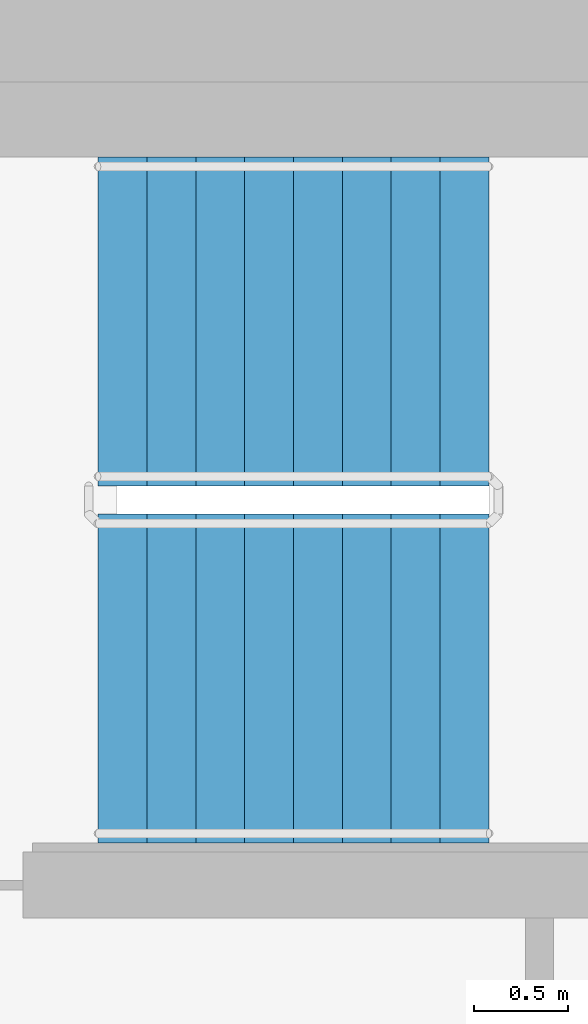
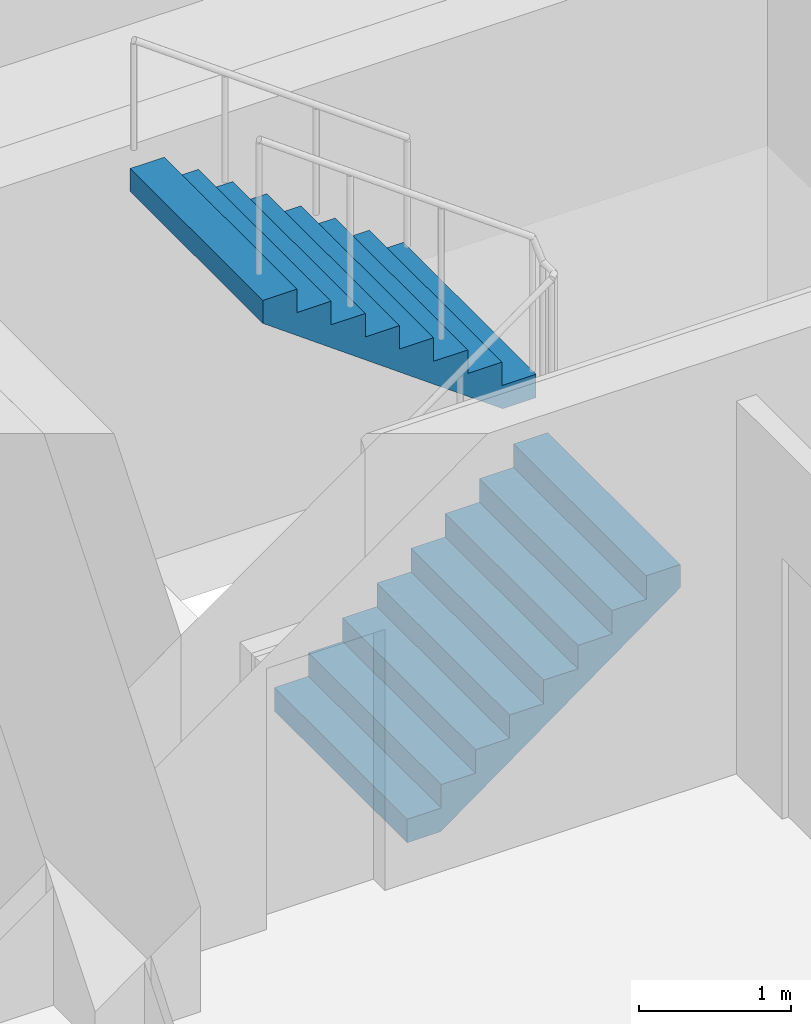
# One storey, part 13 of 18: 2 stair flights, 1 element without a shape of its own.
"""IFC4 building model written with IfcOpenShell, lengths in metres."""

from ifc_helpers import new_model, si_unit, direction, frame, origin, place, context, subcontext, project, spatial, faceted_brep, material, type_object, element, aggregate, save


model = new_model("IFC4")

# Units and contexts
model_context = context("Model", 3, precision=1e-05, world=origin(), true_north=direction((0.0, 1.0)))
body_context = subcontext(model_context, "Body", "Model", "MODEL_VIEW")
ifc_project = project(units=[si_unit("LENGTHUNIT", "METRE"), si_unit("AREAUNIT", "SQUARE_METRE"), si_unit("VOLUMEUNIT", "CUBIC_METRE"), si_unit("PLANEANGLEUNIT", "RADIAN"), si_unit("MASSUNIT", "GRAM", prefix="KILO")], contexts=[model_context])

# Site, building, storey
site_placement = place(None, origin())
site = spatial("IfcSite", under=ifc_project, at=site_placement, CompositionType="ELEMENT")
building_placement = place(site_placement, origin())
building = spatial("IfcBuilding", under=site, at=building_placement, Name="Ipe Terrace Towers", CompositionType="ELEMENT")
storey_placement = place(building_placement, frame((0.0, 0.0, 177.89990234375)))
storey = spatial("IfcBuildingStorey", under=building, at=storey_placement, Name="L49", CompositionType="ELEMENT", Elevation=177.89990234375)

# Stair, stair flights
ifc_material_1 = material(Name="Concrete C30/37", Category="concrete")
stair_type = type_object("IfcStairType", Name="Protected exit stair", PredefinedType="HALF_TURN_STAIR", material=ifc_material_1)
stair_placement = place(storey_placement, origin())
stair = element("IfcStair", 1, at=stair_placement, inside=storey, type_object=stair_type, Name="L49 Exit stair T1-C1", PredefinedType="HALF_TURN_STAIR")
ifc_material_2 = material(Name="Concrete C30/37", Category="concrete")
stair_flight_type = type_object("IfcStairFlightType", Name="Exit stair flight 1750", PredefinedType="STRAIGHT", material=ifc_material_2)
stair_flight_1_placement = place(storey_placement, frame((-26.300048828125, 2.77490234375, 0.0), z_axis=(0.0, 0.0, 1.0), x_axis=(1.0, 0.0, 0.0)))
stair_flight_1 = element("IfcStairFlight", 2, at=stair_flight_1_placement, type_object=stair_flight_type, Name="T1-ST1 flight 1", NumberOfRisers=9, NumberOfTreads=8, PredefinedType="STRAIGHT", RiserHeight=0.188888889, TreadLength=0.26, context=body_context, shape_type="Brep", body=[
    faceted_brep([(0.255126953125, -0.875, 0.0), (2.080078125, -0.875, 1.325927734375), (2.080078125, -0.875, 1.51123046875), (1.820068359375, -0.875, 1.51123046875), (1.820068359375, -0.875, 1.322265625), (1.56005859375, -0.875, 1.322265625), (1.56005859375, -0.875, 1.13330078125), (1.300048828125, -0.875, 1.13330078125), (1.300048828125, -0.875, 0.9443359375), (1.0400390625, -0.875, 0.9443359375), (1.0400390625, -0.875, 0.755615234375), (0.780029296875, -0.875, 0.755615234375), (0.780029296875, -0.875, 0.566650390625), (0.52001953125, -0.875, 0.566650390625), (0.52001953125, -0.875, 0.377685546875), (0.260009765625, -0.875, 0.377685546875), (0.260009765625, -0.875, 0.18896484375), (0.0, -0.875, 0.18896484375), (0.0, -0.875, 0.0), (0.0, 0.875, 0.0), (0.0, 0.875, 0.18896484375), (0.260009765625, 0.875, 0.18896484375), (0.260009765625, 0.875, 0.377685546875), (0.52001953125, 0.875, 0.377685546875), (0.52001953125, 0.875, 0.566650390625), (0.780029296875, 0.875, 0.566650390625), (0.780029296875, 0.875, 0.755615234375), (1.0400390625, 0.875, 0.755615234375), (1.0400390625, 0.875, 0.9443359375), (1.300048828125, 0.875, 0.9443359375), (1.300048828125, 0.875, 1.13330078125), (1.56005859375, 0.875, 1.13330078125), (1.56005859375, 0.875, 1.322265625), (1.820068359375, 0.875, 1.322265625), (1.820068359375, 0.875, 1.51123046875), (2.080078125, 0.875, 1.51123046875), (2.080078125, 0.875, 1.325927734375), (0.255126953125, 0.875, 0.0), (0.0, -0.300048828125, 0.18896484375), (0.0, -0.1201171875, 0.18896484375), (0.0, -0.06005859375, 0.18896484375), (0.0, -0.030029296875, 0.18896484375), (0.0, -0.010009765625, 0.18896484375), (0.0, 0.0, 0.18896484375), (0.0, 0.010009765625, 0.18896484375), (0.0, 0.030029296875, 0.18896484375), (0.0, 0.06005859375, 0.18896484375), (0.0, 0.1201171875, 0.18896484375), (0.0, 0.300048828125, 0.18896484375), (0.0, 0.300048828125, 0.0), (0.0, 0.1201171875, 0.0), (0.0, 0.06005859375, 0.0), (0.0, 0.030029296875, 0.0), (0.0, 0.010009765625, 0.0), (0.0, 0.0, 0.0), (0.0, -0.010009765625, 0.0), (0.0, -0.030029296875, 0.0), (0.0, -0.06005859375, 0.0), (0.0, -0.1201171875, 0.0), (0.0, -0.300048828125, 0.0), (0.260009765625, -0.300048828125, 0.18896484375), (0.260009765625, -0.1201171875, 0.18896484375), (0.260009765625, -0.06005859375, 0.18896484375), (0.260009765625, -0.030029296875, 0.18896484375), (0.260009765625, -0.010009765625, 0.18896484375), (0.260009765625, 0.0, 0.18896484375), (0.260009765625, 0.010009765625, 0.18896484375), (0.260009765625, 0.030029296875, 0.18896484375), (0.260009765625, 0.06005859375, 0.18896484375), (0.260009765625, 0.1201171875, 0.18896484375), (0.260009765625, 0.300048828125, 0.18896484375), (0.260009765625, -0.300048828125, 0.377685546875), (0.260009765625, -0.1201171875, 0.377685546875), (0.260009765625, -0.06005859375, 0.377685546875), (0.260009765625, -0.030029296875, 0.377685546875), (0.260009765625, -0.010009765625, 0.377685546875), (0.260009765625, 0.0, 0.377685546875), (0.260009765625, 0.010009765625, 0.377685546875), (0.260009765625, 0.030029296875, 0.377685546875), (0.260009765625, 0.06005859375, 0.377685546875), (0.260009765625, 0.1201171875, 0.377685546875), (0.260009765625, 0.300048828125, 0.377685546875), (0.52001953125, -0.300048828125, 0.377685546875), (0.52001953125, -0.1201171875, 0.377685546875), (0.52001953125, -0.06005859375, 0.377685546875), (0.52001953125, -0.030029296875, 0.377685546875), (0.52001953125, -0.010009765625, 0.377685546875), (0.52001953125, 0.0, 0.377685546875), (0.52001953125, 0.010009765625, 0.377685546875), (0.52001953125, 0.030029296875, 0.377685546875), (0.52001953125, 0.06005859375, 0.377685546875), (0.52001953125, 0.1201171875, 0.377685546875), (0.52001953125, 0.300048828125, 0.377685546875), (0.52001953125, -0.300048828125, 0.566650390625), (0.52001953125, -0.1201171875, 0.566650390625), (0.52001953125, -0.06005859375, 0.566650390625), (0.52001953125, -0.030029296875, 0.566650390625), (0.52001953125, -0.010009765625, 0.566650390625), (0.52001953125, 0.0, 0.566650390625), (0.52001953125, 0.010009765625, 0.566650390625), (0.52001953125, 0.030029296875, 0.566650390625), (0.52001953125, 0.06005859375, 0.566650390625), (0.52001953125, 0.1201171875, 0.566650390625), (0.52001953125, 0.300048828125, 0.566650390625), (0.780029296875, -0.300048828125, 0.566650390625), (0.780029296875, -0.1201171875, 0.566650390625), (0.780029296875, -0.06005859375, 0.566650390625), (0.780029296875, -0.030029296875, 0.566650390625), (0.780029296875, -0.010009765625, 0.566650390625), (0.780029296875, 0.0, 0.566650390625), (0.780029296875, 0.010009765625, 0.566650390625), (0.780029296875, 0.030029296875, 0.566650390625), (0.780029296875, 0.06005859375, 0.566650390625), (0.780029296875, 0.1201171875, 0.566650390625), (0.780029296875, 0.300048828125, 0.566650390625), (0.780029296875, -0.300048828125, 0.755615234375), (0.780029296875, -0.1201171875, 0.755615234375), (0.780029296875, -0.06005859375, 0.755615234375), (0.780029296875, -0.030029296875, 0.755615234375), (0.780029296875, -0.010009765625, 0.755615234375), (0.780029296875, 0.0, 0.755615234375), (0.780029296875, 0.010009765625, 0.755615234375), (0.780029296875, 0.030029296875, 0.755615234375), (0.780029296875, 0.06005859375, 0.755615234375), (0.780029296875, 0.1201171875, 0.755615234375), (0.780029296875, 0.300048828125, 0.755615234375), (1.0400390625, -0.300048828125, 0.755615234375), (1.0400390625, -0.1201171875, 0.755615234375), (1.0400390625, -0.06005859375, 0.755615234375), (1.0400390625, -0.030029296875, 0.755615234375), (1.0400390625, -0.010009765625, 0.755615234375), (1.0400390625, 0.0, 0.755615234375), (1.0400390625, 0.010009765625, 0.755615234375), (1.0400390625, 0.030029296875, 0.755615234375), (1.0400390625, 0.06005859375, 0.755615234375), (1.0400390625, 0.1201171875, 0.755615234375), (1.0400390625, 0.300048828125, 0.755615234375), (1.0400390625, -0.300048828125, 0.9443359375), (1.0400390625, -0.1201171875, 0.9443359375), (1.0400390625, -0.06005859375, 0.9443359375), (1.0400390625, -0.030029296875, 0.9443359375), (1.0400390625, -0.010009765625, 0.9443359375), (1.0400390625, 0.0, 0.9443359375), (1.0400390625, 0.010009765625, 0.9443359375), (1.0400390625, 0.030029296875, 0.9443359375), (1.0400390625, 0.06005859375, 0.9443359375), (1.0400390625, 0.1201171875, 0.9443359375), (1.0400390625, 0.300048828125, 0.9443359375), (1.300048828125, -0.300048828125, 0.9443359375), (1.300048828125, -0.1201171875, 0.9443359375), (1.300048828125, -0.06005859375, 0.9443359375), (1.300048828125, -0.030029296875, 0.9443359375), (1.300048828125, -0.010009765625, 0.9443359375), (1.300048828125, 0.0, 0.9443359375), (1.300048828125, 0.010009765625, 0.9443359375), (1.300048828125, 0.030029296875, 0.9443359375), (1.300048828125, 0.06005859375, 0.9443359375), (1.300048828125, 0.1201171875, 0.9443359375), (1.300048828125, 0.300048828125, 0.9443359375), (1.300048828125, -0.300048828125, 1.13330078125), (1.300048828125, -0.1201171875, 1.13330078125), (1.300048828125, -0.06005859375, 1.13330078125), (1.300048828125, -0.030029296875, 1.13330078125), (1.300048828125, -0.010009765625, 1.13330078125), (1.300048828125, 0.0, 1.13330078125), (1.300048828125, 0.010009765625, 1.13330078125), (1.300048828125, 0.030029296875, 1.13330078125), (1.300048828125, 0.06005859375, 1.13330078125), (1.300048828125, 0.1201171875, 1.13330078125), (1.300048828125, 0.300048828125, 1.13330078125), (1.56005859375, -0.300048828125, 1.13330078125), (1.56005859375, -0.1201171875, 1.13330078125), (1.56005859375, -0.06005859375, 1.13330078125), (1.56005859375, -0.030029296875, 1.13330078125), (1.56005859375, -0.010009765625, 1.13330078125), (1.56005859375, 0.0, 1.13330078125), (1.56005859375, 0.010009765625, 1.13330078125), (1.56005859375, 0.030029296875, 1.13330078125), (1.56005859375, 0.06005859375, 1.13330078125), (1.56005859375, 0.1201171875, 1.13330078125), (1.56005859375, 0.300048828125, 1.13330078125), (1.56005859375, -0.300048828125, 1.322265625), (1.56005859375, -0.1201171875, 1.322265625), (1.56005859375, -0.06005859375, 1.322265625), (1.56005859375, -0.030029296875, 1.322265625), (1.56005859375, -0.010009765625, 1.322265625), (1.56005859375, 0.0, 1.322265625), (1.56005859375, 0.010009765625, 1.322265625), (1.56005859375, 0.030029296875, 1.322265625), (1.56005859375, 0.06005859375, 1.322265625), (1.56005859375, 0.1201171875, 1.322265625), (1.56005859375, 0.300048828125, 1.322265625), (1.820068359375, -0.300048828125, 1.322265625), (1.820068359375, -0.1201171875, 1.322265625), (1.820068359375, -0.06005859375, 1.322265625), (1.820068359375, -0.030029296875, 1.322265625), (1.820068359375, -0.010009765625, 1.322265625), (1.820068359375, 0.0, 1.322265625), (1.820068359375, 0.010009765625, 1.322265625), (1.820068359375, 0.030029296875, 1.322265625), (1.820068359375, 0.06005859375, 1.322265625), (1.820068359375, 0.1201171875, 1.322265625), (1.820068359375, 0.300048828125, 1.322265625), (1.820068359375, -0.300048828125, 1.51123046875), (1.820068359375, -0.1201171875, 1.51123046875), (1.820068359375, -0.06005859375, 1.51123046875), (1.820068359375, -0.030029296875, 1.51123046875), (1.820068359375, -0.010009765625, 1.51123046875), (1.820068359375, 0.0, 1.51123046875), (1.820068359375, 0.010009765625, 1.51123046875), (1.820068359375, 0.030029296875, 1.51123046875), (1.820068359375, 0.06005859375, 1.51123046875), (1.820068359375, 0.1201171875, 1.51123046875), (1.820068359375, 0.300048828125, 1.51123046875), (2.080078125, -0.300048828125, 1.51123046875), (2.080078125, -0.1201171875, 1.51123046875), (2.080078125, -0.06005859375, 1.51123046875), (2.080078125, -0.030029296875, 1.51123046875), (2.080078125, -0.010009765625, 1.51123046875), (2.080078125, 0.0, 1.51123046875), (2.080078125, 0.010009765625, 1.51123046875), (2.080078125, 0.030029296875, 1.51123046875), (2.080078125, 0.06005859375, 1.51123046875), (2.080078125, 0.1201171875, 1.51123046875), (2.080078125, 0.300048828125, 1.51123046875), (2.080078125, -0.300048828125, 1.325927734375), (2.080078125, -0.1201171875, 1.325927734375), (2.080078125, -0.06005859375, 1.325927734375), (2.080078125, -0.030029296875, 1.325927734375), (2.080078125, -0.010009765625, 1.325927734375), (2.080078125, 0.0, 1.325927734375), (2.080078125, 0.010009765625, 1.325927734375), (2.080078125, 0.030029296875, 1.325927734375), (2.080078125, 0.06005859375, 1.325927734375), (2.080078125, 0.1201171875, 1.325927734375), (2.080078125, 0.300048828125, 1.325927734375), (0.255126953125, -0.300048828125, 0.0), (0.255126953125, -0.1201171875, 0.0), (0.255126953125, -0.06005859375, 0.0), (0.255126953125, -0.030029296875, 0.0), (0.255126953125, -0.010009765625, 0.0), (0.255126953125, 0.0, 0.0), (0.255126953125, 0.010009765625, 0.0), (0.255126953125, 0.030029296875, 0.0), (0.255126953125, 0.06005859375, 0.0), (0.255126953125, 0.1201171875, 0.0), (0.255126953125, 0.300048828125, 0.0)], [[[0, 1, 2, 3, 4, 5, 6, 7, 8, 9, 10, 11, 12, 13, 14, 15, 16, 17, 18]], [[19, 20, 21, 22, 23, 24, 25, 26, 27, 28, 29, 30, 31, 32, 33, 34, 35, 36, 37]], [[17, 38, 39, 40, 41, 42, 43, 44, 45, 46, 47, 48, 20, 19, 49, 50, 51, 52, 53, 54, 55, 56, 57, 58, 59, 18]], [[16, 60, 61, 62, 63, 64, 65, 66, 67, 68, 69, 70, 21, 20, 48, 47, 46, 45, 44, 43, 42, 41, 40, 39, 38, 17]], [[15, 71, 72, 73, 74, 75, 76, 77, 78, 79, 80, 81, 22, 21, 70, 69, 68, 67, 66, 65, 64, 63, 62, 61, 60, 16]], [[14, 82, 83, 84, 85, 86, 87, 88, 89, 90, 91, 92, 23, 22, 81, 80, 79, 78, 77, 76, 75, 74, 73, 72, 71, 15]], [[13, 93, 94, 95, 96, 97, 98, 99, 100, 101, 102, 103, 24, 23, 92, 91, 90, 89, 88, 87, 86, 85, 84, 83, 82, 14]], [[12, 104, 105, 106, 107, 108, 109, 110, 111, 112, 113, 114, 25, 24, 103, 102, 101, 100, 99, 98, 97, 96, 95, 94, 93, 13]], [[11, 115, 116, 117, 118, 119, 120, 121, 122, 123, 124, 125, 26, 25, 114, 113, 112, 111, 110, 109, 108, 107, 106, 105, 104, 12]], [[10, 126, 127, 128, 129, 130, 131, 132, 133, 134, 135, 136, 27, 26, 125, 124, 123, 122, 121, 120, 119, 118, 117, 116, 115, 11]], [[9, 137, 138, 139, 140, 141, 142, 143, 144, 145, 146, 147, 28, 27, 136, 135, 134, 133, 132, 131, 130, 129, 128, 127, 126, 10]], [[8, 148, 149, 150, 151, 152, 153, 154, 155, 156, 157, 158, 29, 28, 147, 146, 145, 144, 143, 142, 141, 140, 139, 138, 137, 9]], [[7, 159, 160, 161, 162, 163, 164, 165, 166, 167, 168, 169, 30, 29, 158, 157, 156, 155, 154, 153, 152, 151, 150, 149, 148, 8]], [[6, 170, 171, 172, 173, 174, 175, 176, 177, 178, 179, 180, 31, 30, 169, 168, 167, 166, 165, 164, 163, 162, 161, 160, 159, 7]], [[5, 181, 182, 183, 184, 185, 186, 187, 188, 189, 190, 191, 32, 31, 180, 179, 178, 177, 176, 175, 174, 173, 172, 171, 170, 6]], [[4, 192, 193, 194, 195, 196, 197, 198, 199, 200, 201, 202, 33, 32, 191, 190, 189, 188, 187, 186, 185, 184, 183, 182, 181, 5]], [[3, 203, 204, 205, 206, 207, 208, 209, 210, 211, 212, 213, 34, 33, 202, 201, 200, 199, 198, 197, 196, 195, 194, 193, 192, 4]], [[2, 214, 215, 216, 217, 218, 219, 220, 221, 222, 223, 224, 35, 34, 213, 212, 211, 210, 209, 208, 207, 206, 205, 204, 203, 3]], [[1, 225, 226, 227, 228, 229, 230, 231, 232, 233, 234, 235, 36, 35, 224, 223, 222, 221, 220, 219, 218, 217, 216, 215, 214, 2]], [[0, 236, 237, 238, 239, 240, 241, 242, 243, 244, 245, 246, 37, 36, 235, 234, 233, 232, 231, 230, 229, 228, 227, 226, 225, 1]], [[18, 59, 58, 57, 56, 55, 54, 53, 52, 51, 50, 49, 19, 37, 246, 245, 244, 243, 242, 241, 240, 239, 238, 237, 236, 0]]]),
])
stair_flight_2_placement = place(storey_placement, frame((-24.219970703125, 4.675048828125, 1.7001953125), z_axis=(0.0, 0.0, 1.0), x_axis=(-1.0, 0.0, 0.0)))
stair_flight_2 = element("IfcStairFlight", 3, at=stair_flight_2_placement, type_object=stair_flight_type, Name="T1-ST1 flight 2", NumberOfRisers=9, NumberOfTreads=8, PredefinedType="STRAIGHT", RiserHeight=0.188888889, TreadLength=0.26, context=body_context, shape_type="Brep", body=[
    faceted_brep([(0.255126953125, -0.875, 0.0), (2.080078125, -0.875, 1.325927734375), (2.080078125, -0.875, 1.51123046875), (1.820068359375, -0.875, 1.51123046875), (1.820068359375, -0.875, 1.322265625), (1.56005859375, -0.875, 1.322265625), (1.56005859375, -0.875, 1.13330078125), (1.300048828125, -0.875, 1.13330078125), (1.300048828125, -0.875, 0.9443359375), (1.0400390625, -0.875, 0.9443359375), (1.0400390625, -0.875, 0.755615234375), (0.780029296875, -0.875, 0.755615234375), (0.780029296875, -0.875, 0.566650390625), (0.52001953125, -0.875, 0.566650390625), (0.52001953125, -0.875, 0.377685546875), (0.260009765625, -0.875, 0.377685546875), (0.260009765625, -0.875, 0.18896484375), (0.0, -0.875, 0.18896484375), (0.0, -0.875, 0.0), (0.0, 0.875, 0.0), (0.0, 0.875, 0.18896484375), (0.260009765625, 0.875, 0.18896484375), (0.260009765625, 0.875, 0.377685546875), (0.52001953125, 0.875, 0.377685546875), (0.52001953125, 0.875, 0.566650390625), (0.780029296875, 0.875, 0.566650390625), (0.780029296875, 0.875, 0.755615234375), (1.0400390625, 0.875, 0.755615234375), (1.0400390625, 0.875, 0.9443359375), (1.300048828125, 0.875, 0.9443359375), (1.300048828125, 0.875, 1.13330078125), (1.56005859375, 0.875, 1.13330078125), (1.56005859375, 0.875, 1.322265625), (1.820068359375, 0.875, 1.322265625), (1.820068359375, 0.875, 1.51123046875), (2.080078125, 0.875, 1.51123046875), (2.080078125, 0.875, 1.325927734375), (0.255126953125, 0.875, 0.0), (0.0, -0.300048828125, 0.18896484375), (0.0, -0.1201171875, 0.18896484375), (0.0, -0.06005859375, 0.18896484375), (0.0, -0.030029296875, 0.18896484375), (0.0, -0.010009765625, 0.18896484375), (0.0, 0.0, 0.18896484375), (0.0, 0.010009765625, 0.18896484375), (0.0, 0.030029296875, 0.18896484375), (0.0, 0.06005859375, 0.18896484375), (0.0, 0.1201171875, 0.18896484375), (0.0, 0.300048828125, 0.18896484375), (0.0, 0.300048828125, 0.0), (0.0, 0.1201171875, 0.0), (0.0, 0.06005859375, 0.0), (0.0, 0.030029296875, 0.0), (0.0, 0.010009765625, 0.0), (0.0, 0.0, 0.0), (0.0, -0.010009765625, 0.0), (0.0, -0.030029296875, 0.0), (0.0, -0.06005859375, 0.0), (0.0, -0.1201171875, 0.0), (0.0, -0.300048828125, 0.0), (0.260009765625, -0.300048828125, 0.18896484375), (0.260009765625, -0.1201171875, 0.18896484375), (0.260009765625, -0.06005859375, 0.18896484375), (0.260009765625, -0.030029296875, 0.18896484375), (0.260009765625, -0.010009765625, 0.18896484375), (0.260009765625, 0.0, 0.18896484375), (0.260009765625, 0.010009765625, 0.18896484375), (0.260009765625, 0.030029296875, 0.18896484375), (0.260009765625, 0.06005859375, 0.18896484375), (0.260009765625, 0.1201171875, 0.18896484375), (0.260009765625, 0.300048828125, 0.18896484375), (0.260009765625, -0.300048828125, 0.377685546875), (0.260009765625, -0.1201171875, 0.377685546875), (0.260009765625, -0.06005859375, 0.377685546875), (0.260009765625, -0.030029296875, 0.377685546875), (0.260009765625, -0.010009765625, 0.377685546875), (0.260009765625, 0.0, 0.377685546875), (0.260009765625, 0.010009765625, 0.377685546875), (0.260009765625, 0.030029296875, 0.377685546875), (0.260009765625, 0.06005859375, 0.377685546875), (0.260009765625, 0.1201171875, 0.377685546875), (0.260009765625, 0.300048828125, 0.377685546875), (0.52001953125, -0.300048828125, 0.377685546875), (0.52001953125, -0.1201171875, 0.377685546875), (0.52001953125, -0.06005859375, 0.377685546875), (0.52001953125, -0.030029296875, 0.377685546875), (0.52001953125, -0.010009765625, 0.377685546875), (0.52001953125, 0.0, 0.377685546875), (0.52001953125, 0.010009765625, 0.377685546875), (0.52001953125, 0.030029296875, 0.377685546875), (0.52001953125, 0.06005859375, 0.377685546875), (0.52001953125, 0.1201171875, 0.377685546875), (0.52001953125, 0.300048828125, 0.377685546875), (0.52001953125, -0.300048828125, 0.566650390625), (0.52001953125, -0.1201171875, 0.566650390625), (0.52001953125, -0.06005859375, 0.566650390625), (0.52001953125, -0.030029296875, 0.566650390625), (0.52001953125, -0.010009765625, 0.566650390625), (0.52001953125, 0.0, 0.566650390625), (0.52001953125, 0.010009765625, 0.566650390625), (0.52001953125, 0.030029296875, 0.566650390625), (0.52001953125, 0.06005859375, 0.566650390625), (0.52001953125, 0.1201171875, 0.566650390625), (0.52001953125, 0.300048828125, 0.566650390625), (0.780029296875, -0.300048828125, 0.566650390625), (0.780029296875, -0.1201171875, 0.566650390625), (0.780029296875, -0.06005859375, 0.566650390625), (0.780029296875, -0.030029296875, 0.566650390625), (0.780029296875, -0.010009765625, 0.566650390625), (0.780029296875, 0.0, 0.566650390625), (0.780029296875, 0.010009765625, 0.566650390625), (0.780029296875, 0.030029296875, 0.566650390625), (0.780029296875, 0.06005859375, 0.566650390625), (0.780029296875, 0.1201171875, 0.566650390625), (0.780029296875, 0.300048828125, 0.566650390625), (0.780029296875, -0.300048828125, 0.755615234375), (0.780029296875, -0.1201171875, 0.755615234375), (0.780029296875, -0.06005859375, 0.755615234375), (0.780029296875, -0.030029296875, 0.755615234375), (0.780029296875, -0.010009765625, 0.755615234375), (0.780029296875, 0.0, 0.755615234375), (0.780029296875, 0.010009765625, 0.755615234375), (0.780029296875, 0.030029296875, 0.755615234375), (0.780029296875, 0.06005859375, 0.755615234375), (0.780029296875, 0.1201171875, 0.755615234375), (0.780029296875, 0.300048828125, 0.755615234375), (1.0400390625, -0.300048828125, 0.755615234375), (1.0400390625, -0.1201171875, 0.755615234375), (1.0400390625, -0.06005859375, 0.755615234375), (1.0400390625, -0.030029296875, 0.755615234375), (1.0400390625, -0.010009765625, 0.755615234375), (1.0400390625, 0.0, 0.755615234375), (1.0400390625, 0.010009765625, 0.755615234375), (1.0400390625, 0.030029296875, 0.755615234375), (1.0400390625, 0.06005859375, 0.755615234375), (1.0400390625, 0.1201171875, 0.755615234375), (1.0400390625, 0.300048828125, 0.755615234375), (1.0400390625, -0.300048828125, 0.9443359375), (1.0400390625, -0.1201171875, 0.9443359375), (1.0400390625, -0.06005859375, 0.9443359375), (1.0400390625, -0.030029296875, 0.9443359375), (1.0400390625, -0.010009765625, 0.9443359375), (1.0400390625, 0.0, 0.9443359375), (1.0400390625, 0.010009765625, 0.9443359375), (1.0400390625, 0.030029296875, 0.9443359375), (1.0400390625, 0.06005859375, 0.9443359375), (1.0400390625, 0.1201171875, 0.9443359375), (1.0400390625, 0.300048828125, 0.9443359375), (1.300048828125, -0.300048828125, 0.9443359375), (1.300048828125, -0.1201171875, 0.9443359375), (1.300048828125, -0.06005859375, 0.9443359375), (1.300048828125, -0.030029296875, 0.9443359375), (1.300048828125, -0.010009765625, 0.9443359375), (1.300048828125, 0.0, 0.9443359375), (1.300048828125, 0.010009765625, 0.9443359375), (1.300048828125, 0.030029296875, 0.9443359375), (1.300048828125, 0.06005859375, 0.9443359375), (1.300048828125, 0.1201171875, 0.9443359375), (1.300048828125, 0.300048828125, 0.9443359375), (1.300048828125, -0.300048828125, 1.13330078125), (1.300048828125, -0.1201171875, 1.13330078125), (1.300048828125, -0.06005859375, 1.13330078125), (1.300048828125, -0.030029296875, 1.13330078125), (1.300048828125, -0.010009765625, 1.13330078125), (1.300048828125, 0.0, 1.13330078125), (1.300048828125, 0.010009765625, 1.13330078125), (1.300048828125, 0.030029296875, 1.13330078125), (1.300048828125, 0.06005859375, 1.13330078125), (1.300048828125, 0.1201171875, 1.13330078125), (1.300048828125, 0.300048828125, 1.13330078125), (1.56005859375, -0.300048828125, 1.13330078125), (1.56005859375, -0.1201171875, 1.13330078125), (1.56005859375, -0.06005859375, 1.13330078125), (1.56005859375, -0.030029296875, 1.13330078125), (1.56005859375, -0.010009765625, 1.13330078125), (1.56005859375, 0.0, 1.13330078125), (1.56005859375, 0.010009765625, 1.13330078125), (1.56005859375, 0.030029296875, 1.13330078125), (1.56005859375, 0.06005859375, 1.13330078125), (1.56005859375, 0.1201171875, 1.13330078125), (1.56005859375, 0.300048828125, 1.13330078125), (1.56005859375, -0.300048828125, 1.322265625), (1.56005859375, -0.1201171875, 1.322265625), (1.56005859375, -0.06005859375, 1.322265625), (1.56005859375, -0.030029296875, 1.322265625), (1.56005859375, -0.010009765625, 1.322265625), (1.56005859375, 0.0, 1.322265625), (1.56005859375, 0.010009765625, 1.322265625), (1.56005859375, 0.030029296875, 1.322265625), (1.56005859375, 0.06005859375, 1.322265625), (1.56005859375, 0.1201171875, 1.322265625), (1.56005859375, 0.300048828125, 1.322265625), (1.820068359375, -0.300048828125, 1.322265625), (1.820068359375, -0.1201171875, 1.322265625), (1.820068359375, -0.06005859375, 1.322265625), (1.820068359375, -0.030029296875, 1.322265625), (1.820068359375, -0.010009765625, 1.322265625), (1.820068359375, 0.0, 1.322265625), (1.820068359375, 0.010009765625, 1.322265625), (1.820068359375, 0.030029296875, 1.322265625), (1.820068359375, 0.06005859375, 1.322265625), (1.820068359375, 0.1201171875, 1.322265625), (1.820068359375, 0.300048828125, 1.322265625), (1.820068359375, -0.300048828125, 1.51123046875), (1.820068359375, -0.1201171875, 1.51123046875), (1.820068359375, -0.06005859375, 1.51123046875), (1.820068359375, -0.030029296875, 1.51123046875), (1.820068359375, -0.010009765625, 1.51123046875), (1.820068359375, 0.0, 1.51123046875), (1.820068359375, 0.010009765625, 1.51123046875), (1.820068359375, 0.030029296875, 1.51123046875), (1.820068359375, 0.06005859375, 1.51123046875), (1.820068359375, 0.1201171875, 1.51123046875), (1.820068359375, 0.300048828125, 1.51123046875), (2.080078125, -0.300048828125, 1.51123046875), (2.080078125, -0.1201171875, 1.51123046875), (2.080078125, -0.06005859375, 1.51123046875), (2.080078125, -0.030029296875, 1.51123046875), (2.080078125, -0.010009765625, 1.51123046875), (2.080078125, 0.0, 1.51123046875), (2.080078125, 0.010009765625, 1.51123046875), (2.080078125, 0.030029296875, 1.51123046875), (2.080078125, 0.06005859375, 1.51123046875), (2.080078125, 0.1201171875, 1.51123046875), (2.080078125, 0.300048828125, 1.51123046875), (2.080078125, -0.300048828125, 1.325927734375), (2.080078125, -0.1201171875, 1.325927734375), (2.080078125, -0.06005859375, 1.325927734375), (2.080078125, -0.030029296875, 1.325927734375), (2.080078125, -0.010009765625, 1.325927734375), (2.080078125, 0.0, 1.325927734375), (2.080078125, 0.010009765625, 1.325927734375), (2.080078125, 0.030029296875, 1.325927734375), (2.080078125, 0.06005859375, 1.325927734375), (2.080078125, 0.1201171875, 1.325927734375), (2.080078125, 0.300048828125, 1.325927734375), (0.255126953125, -0.300048828125, 0.0), (0.255126953125, -0.1201171875, 0.0), (0.255126953125, -0.06005859375, 0.0), (0.255126953125, -0.030029296875, 0.0), (0.255126953125, -0.010009765625, 0.0), (0.255126953125, 0.0, 0.0), (0.255126953125, 0.010009765625, 0.0), (0.255126953125, 0.030029296875, 0.0), (0.255126953125, 0.06005859375, 0.0), (0.255126953125, 0.1201171875, 0.0), (0.255126953125, 0.300048828125, 0.0)], [[[0, 1, 2, 3, 4, 5, 6, 7, 8, 9, 10, 11, 12, 13, 14, 15, 16, 17, 18]], [[19, 20, 21, 22, 23, 24, 25, 26, 27, 28, 29, 30, 31, 32, 33, 34, 35, 36, 37]], [[17, 38, 39, 40, 41, 42, 43, 44, 45, 46, 47, 48, 20, 19, 49, 50, 51, 52, 53, 54, 55, 56, 57, 58, 59, 18]], [[16, 60, 61, 62, 63, 64, 65, 66, 67, 68, 69, 70, 21, 20, 48, 47, 46, 45, 44, 43, 42, 41, 40, 39, 38, 17]], [[15, 71, 72, 73, 74, 75, 76, 77, 78, 79, 80, 81, 22, 21, 70, 69, 68, 67, 66, 65, 64, 63, 62, 61, 60, 16]], [[14, 82, 83, 84, 85, 86, 87, 88, 89, 90, 91, 92, 23, 22, 81, 80, 79, 78, 77, 76, 75, 74, 73, 72, 71, 15]], [[13, 93, 94, 95, 96, 97, 98, 99, 100, 101, 102, 103, 24, 23, 92, 91, 90, 89, 88, 87, 86, 85, 84, 83, 82, 14]], [[12, 104, 105, 106, 107, 108, 109, 110, 111, 112, 113, 114, 25, 24, 103, 102, 101, 100, 99, 98, 97, 96, 95, 94, 93, 13]], [[11, 115, 116, 117, 118, 119, 120, 121, 122, 123, 124, 125, 26, 25, 114, 113, 112, 111, 110, 109, 108, 107, 106, 105, 104, 12]], [[10, 126, 127, 128, 129, 130, 131, 132, 133, 134, 135, 136, 27, 26, 125, 124, 123, 122, 121, 120, 119, 118, 117, 116, 115, 11]], [[9, 137, 138, 139, 140, 141, 142, 143, 144, 145, 146, 147, 28, 27, 136, 135, 134, 133, 132, 131, 130, 129, 128, 127, 126, 10]], [[8, 148, 149, 150, 151, 152, 153, 154, 155, 156, 157, 158, 29, 28, 147, 146, 145, 144, 143, 142, 141, 140, 139, 138, 137, 9]], [[7, 159, 160, 161, 162, 163, 164, 165, 166, 167, 168, 169, 30, 29, 158, 157, 156, 155, 154, 153, 152, 151, 150, 149, 148, 8]], [[6, 170, 171, 172, 173, 174, 175, 176, 177, 178, 179, 180, 31, 30, 169, 168, 167, 166, 165, 164, 163, 162, 161, 160, 159, 7]], [[5, 181, 182, 183, 184, 185, 186, 187, 188, 189, 190, 191, 32, 31, 180, 179, 178, 177, 176, 175, 174, 173, 172, 171, 170, 6]], [[4, 192, 193, 194, 195, 196, 197, 198, 199, 200, 201, 202, 33, 32, 191, 190, 189, 188, 187, 186, 185, 184, 183, 182, 181, 5]], [[3, 203, 204, 205, 206, 207, 208, 209, 210, 211, 212, 213, 34, 33, 202, 201, 200, 199, 198, 197, 196, 195, 194, 193, 192, 4]], [[2, 214, 215, 216, 217, 218, 219, 220, 221, 222, 223, 224, 35, 34, 213, 212, 211, 210, 209, 208, 207, 206, 205, 204, 203, 3]], [[1, 225, 226, 227, 228, 229, 230, 231, 232, 233, 234, 235, 36, 35, 224, 223, 222, 221, 220, 219, 218, 217, 216, 215, 214, 2]], [[0, 236, 237, 238, 239, 240, 241, 242, 243, 244, 245, 246, 37, 36, 235, 234, 233, 232, 231, 230, 229, 228, 227, 226, 225, 1]], [[18, 59, 58, 57, 56, 55, 54, 53, 52, 51, 50, 49, 19, 37, 246, 245, 244, 243, 242, 241, 240, 239, 238, 237, 236, 0]]]),
])
aggregate(stair, [stair_flight_1, stair_flight_2])

save(model, "model.ifc")
